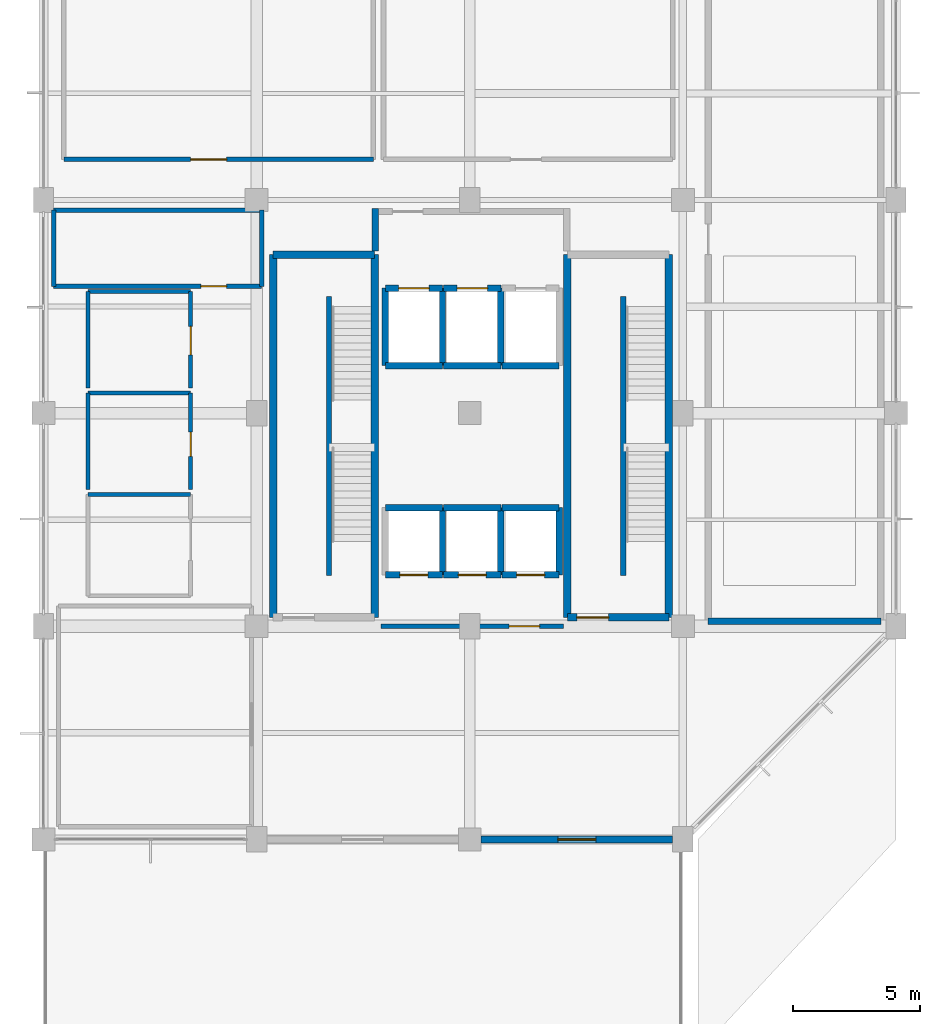
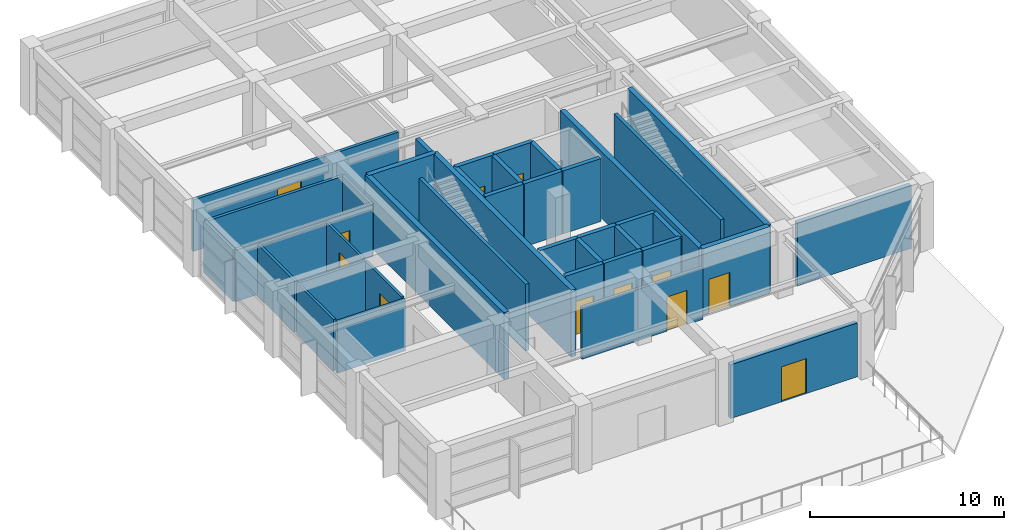
# One storey, part 9 of 11: 41 walls, 12 doors, 12 openings.
"""IFC4 building model written with IfcOpenShell, lengths in metres."""

import ifcopenshell
import ifcopenshell.guid

model = None  # the IFC model being written
_history = None  # IfcOwnerHistory: only IFC2X3 demands one
_inside = {}  # id of a spatial element -> (the spatial element, [elements in it])
_under = {}  # id of a project, library or spatial element -> (it, [spatial elements below it])
_declared = {}  # id of a project -> (the project, [libraries it declares])
_typed = {}  # id of a type object -> (the type object, [elements of that type])
_made_of = {}  # id of a material, layer set ... -> (it, [elements and type objects made of it])


def new_model(schema):
    """Start an empty IFC model of exactly this schema.

    Asked for "IFC4X3", IfcOpenShell would pick the latest addendum, in which some entities
    have other attributes; the version numbers below select the first issue.
    IFC2X3 requires an IfcOwnerHistory on every rooted entity: one is made here for all.
    """
    global model, _history
    if schema == "IFC4X3":
        model = ifcopenshell.file(schema_version=(4, 3, 0, 0))
    else:
        model = ifcopenshell.file(schema=schema)
    _inside.clear()
    _under.clear()
    _declared.clear()
    _typed.clear()
    _made_of.clear()
    _history = None
    if model.schema == "IFC2X3":
        org = make("IfcOrganization", Name="unknown")
        user = make(
            "IfcPersonAndOrganization",
            ThePerson=make("IfcPerson", FamilyName="unknown"),
            TheOrganization=org,
        )
        app = make(
            "IfcApplication",
            ApplicationDeveloper=org,
            Version="unknown",
            ApplicationFullName="unknown",
            ApplicationIdentifier="unknown",
        )
        _history = make(
            "IfcOwnerHistory",
            OwningUser=user,
            OwningApplication=app,
            ChangeAction="ADDED",
            CreationDate=0,
        )
    return model


def make(cls, **values):
    """One entity of the class cls with the attributes given. An attribute that is None is left unset."""
    return model.create_entity(
        cls, **{name: value for name, value in values.items() if value is not None}
    )


def rooted(cls, **values):
    """An entity with a GlobalId (a new one), such as an element, a storey or a relation."""
    return make(cls, GlobalId=ifcopenshell.guid.new(), OwnerHistory=_history, **values)


def si_unit(unit_type, name, prefix=None):
    """IfcSIUnit, for example si_unit("LENGTHUNIT", "METRE", prefix="MILLI")."""
    return make("IfcSIUnit", UnitType=unit_type, Prefix=prefix, Name=name)


def assignment(units):
    """IfcUnitAssignment: the units of a project."""
    return None if units is None else make("IfcUnitAssignment", Units=units)


def point(xyz):
    """IfcCartesianPoint."""
    return None if xyz is None else make("IfcCartesianPoint", Coordinates=xyz)


def direction(xyz):
    """IfcDirection."""
    return None if xyz is None else make("IfcDirection", DirectionRatios=xyz)


def frame(location, z_axis=None, x_axis=None):
    """IfcAxis2Placement3D, a coordinate frame: its origin and axes. An axis left out is left unset."""
    return make(
        "IfcAxis2Placement3D",
        Location=point(location),
        Axis=direction(z_axis),
        RefDirection=direction(x_axis),
    )


def frame_2d(location, x_axis=None):
    """IfcAxis2Placement2D, a coordinate frame in the plane: its origin and x axis."""
    return make(
        "IfcAxis2Placement2D", Location=point(location), RefDirection=direction(x_axis)
    )


def origin():
    """The frame at (0, 0, 0) with its axes left unset."""
    return frame((0.0, 0.0, 0.0))


def place(relative_to, where):
    """IfcLocalPlacement: puts the frame where relative to a parent placement (None: the world)."""
    return make(
        "IfcLocalPlacement", PlacementRelTo=relative_to, RelativePlacement=where
    )


def context(
    kind, dimensions, precision=None, world=None, true_north=None, identifier=None
):
    """IfcGeometricRepresentationContext, for example the 3D "Model" context."""
    return make(
        "IfcGeometricRepresentationContext",
        ContextIdentifier=identifier,
        ContextType=kind,
        CoordinateSpaceDimension=dimensions,
        Precision=precision,
        WorldCoordinateSystem=world,
        TrueNorth=true_north,
    )


def subcontext(parent, identifier, kind, view, scale=None):
    """IfcGeometricRepresentationSubContext, for example "Body" below "Model"."""
    return make(
        "IfcGeometricRepresentationSubContext",
        ContextIdentifier=identifier,
        ContextType=kind,
        ParentContext=parent,
        TargetScale=scale,
        TargetView=view,
    )


def project(units=None, contexts=None):
    """IfcProject with its units and contexts."""
    return rooted(
        "IfcProject",
        Name="project",
        RepresentationContexts=contexts,
        UnitsInContext=assignment(units),
    )


def spatial(cls, under=None, at=None, **own):
    """A site, building, storey or space (cls), placed at a placement, below another one or the project."""
    s = rooted(cls, ObjectPlacement=at, **own)
    if under is not None:
        _under.setdefault(under.id(), (under, []))[1].append(s)
    return s


def profile(cls, at=None, kind="AREA", **sizes):
    """A parametric profile (cls). Its sizes go by their IFC names, for example OverallWidth=200.0."""
    return make(cls, ProfileType=kind, Position=at, **sizes)


def rectangle(**sizes):
    """IfcRectangleProfileDef."""
    return profile("IfcRectangleProfileDef", **sizes)


def extrude(swept, where, along, depth):
    """IfcExtrudedAreaSolid: the profile swept, set in the frame where, extruded along a direction by depth."""
    return make(
        "IfcExtrudedAreaSolid",
        SweptArea=swept,
        Position=where,
        ExtrudedDirection=direction(along),
        Depth=depth,
    )


def shape(context_of_items, identifier, shape_type, items):
    """IfcShapeRepresentation: the items that make up one representation, for example the "Body"."""
    return make(
        "IfcShapeRepresentation",
        ContextOfItems=context_of_items,
        RepresentationIdentifier=identifier,
        RepresentationType=shape_type,
        Items=items,
    )


def material(Name=None, Category=None):
    """IfcMaterial."""
    return make("IfcMaterial", Name=Name, Category=Category)


def layer(
    of_material, thickness, ventilated=None, Name=None, Category=None, Priority=None
):
    """IfcMaterialLayer: one layer of a wall or slab, of a material (None: an air gap)."""
    return make(
        "IfcMaterialLayer",
        Material=of_material,
        LayerThickness=thickness,
        IsVentilated=ventilated,
        Name=Name,
        Category=Category,
        Priority=Priority,
    )


def layer_set(layers, Name=None):
    """IfcMaterialLayerSet."""
    return make("IfcMaterialLayerSet", MaterialLayers=layers, LayerSetName=Name)


def made_of(thing, what):
    """Note that an element or type object is made of a material, layer set ...; save() writes the relation."""
    if what is not None:
        _made_of.setdefault(what.id(), (what, []))[1].append(thing)
    return thing


def type_object(cls, material=None, **own):
    """A type object (cls), such as IfcWallType, which elements share."""
    return made_of(rooted(cls, **own), material)


def element(
    cls,
    number,
    at=None,
    inside=None,
    cuts=None,
    type_object=None,
    material=None,
    context=None,
    identifier="Body",
    shape_type=None,
    held_by="IfcProductDefinitionShape",
    body=None,
    shapes=None,
    **own,
):
    """One element of the class cls, such as IfcWall. Its Tag is "e" and its number.

    at: its placement. inside: the storey or other place that contains it. cuts: it is an
    opening in that element (IfcRelVoidsElement). A single representation is given by context,
    identifier, shape_type and body (its items); several are given by shapes. held_by: the class
    of the entity that holds the representations. save() writes the other relations.
    """
    e = rooted(cls, Tag="e%d" % number, ObjectPlacement=at, **own)
    if body is not None:
        shapes = [shape(context, identifier, shape_type, body)]
    if shapes is not None:
        e.Representation = make(held_by, Representations=shapes)
    if inside is not None:
        _inside.setdefault(inside.id(), (inside, []))[1].append(e)
    if cuts is not None:
        rooted(
            "IfcRelVoidsElement", RelatingBuildingElement=cuts, RelatedOpeningElement=e
        )
    if type_object is not None:
        _typed.setdefault(type_object.id(), (type_object, []))[1].append(e)
    return made_of(e, material)


def fill(opening, filler):
    """IfcRelFillsElement: the door or window that sits in an opening."""
    return rooted(
        "IfcRelFillsElement",
        RelatingOpeningElement=opening,
        RelatedBuildingElement=filler,
    )


def aggregate(whole, parts):
    """IfcRelAggregates: a whole, such as a stair, and the parts it consists of."""
    return rooted("IfcRelAggregates", RelatingObject=whole, RelatedObjects=parts)


def save(model, path):
    """Write the relations noted so far, then the file.

    IfcRelAggregates (storeys below a building ...), IfcRelContainedInSpatialStructure (elements
    in a storey), IfcRelDefinesByType, IfcRelAssociatesMaterial and IfcRelDeclares: one each for
    every whole, place, type object, material and project.
    """
    for whole, parts in _under.values():
        aggregate(whole, parts)
    for where, things in _inside.values():
        rooted(
            "IfcRelContainedInSpatialStructure",
            RelatedElements=things,
            RelatingStructure=where,
        )
    for kind, things in _typed.values():
        rooted("IfcRelDefinesByType", RelatedObjects=things, RelatingType=kind)
    for what, things in _made_of.values():
        rooted("IfcRelAssociatesMaterial", RelatedObjects=things, RelatingMaterial=what)
    for by, libraries in _declared.values():
        rooted("IfcRelDeclares", RelatingContext=by, RelatedDefinitions=libraries)
    model.write(path)


model = new_model("IFC4")

# Units and contexts
model_context = context("Model", 3, precision=1e-05, world=origin(), true_north=direction((0.0, 1.0)))
body_context = subcontext(model_context, "Body", "Model", "MODEL_VIEW")
ifc_project = project(units=[si_unit("LENGTHUNIT", "METRE"), si_unit("AREAUNIT", "SQUARE_METRE"), si_unit("VOLUMEUNIT", "CUBIC_METRE"), si_unit("PLANEANGLEUNIT", "RADIAN"), si_unit("MASSUNIT", "GRAM", prefix="KILO")], contexts=[model_context])

# Site, building, storey
site_placement = place(None, origin())
site = spatial("IfcSite", under=ifc_project, at=site_placement, CompositionType="ELEMENT")
building_placement = place(site_placement, origin())
building = spatial("IfcBuilding", under=site, at=building_placement, Name="Xuanlan Plaza Opera House", CompositionType="ELEMENT")
storey_placement = place(building_placement, frame((0.0, 0.0, 57.300048828125)))
storey = spatial("IfcBuildingStorey", under=building, at=storey_placement, Name="L13", CompositionType="ELEMENT", Elevation=57.300048828125)

# Wall, opening, door
ifc_material_1 = material(Name="Anodised Aluminium 6063-T6 and Rockwool Cladding", Category="aluminium")
ifc_layer_1 = layer(ifc_material_1, 0.27001953125)
ifc_layer_set_1 = layer_set([ifc_layer_1], Name="Anodised Aluminium 6063-T6 and Rockwool Cladding")
wall_type_1 = type_object("IfcWallType", Name="ENV-WL-EW-06", PredefinedType="STANDARD", material=ifc_layer_set_1)
wall_1_placement = place(storey_placement, frame((143.25, 42.0, 0.0), z_axis=(0.0, 0.0, 1.0), x_axis=(1.0, 0.0, 0.0)))
wall_1 = element("IfcWall", 1, at=wall_1_placement, inside=storey, type_object=wall_type_1, Name="Exterior Wall L13-003", PredefinedType="STANDARD", context=body_context, shape_type="SweptSolid", body=[
    extrude(rectangle(XDim=7.550048828125, YDim=0.27001953125, at=frame_2d((3.77490234375, 0.0))), origin(), (0.0, 0.0, 1.0), 3.3798828125),
])
opening_1_placement = place(wall_1_placement, frame((3.02490234375, 0.0, 0.0)))
opening_1 = element("IfcOpeningElement", 2, at=opening_1_placement, cuts=wall_1, Name="Opening TD-02", PredefinedType="OPENING", context=body_context, shape_type="SweptSolid", body=[
    extrude(rectangle(XDim=1.5, YDim=2.199951171875, at=frame_2d((0.75, 1.10009765625))), frame((0.0, 0.14501953125, 0.0), z_axis=(0.0, -1.0, 0.0), x_axis=(1.0, 0.0, 0.0)), (0.0, 0.0, 1.0), 0.2900390625),
])
ifc_material_2 = material(Name="Anodised Aluminium 6063-T6 and Laminated Safety Glass", Category="aluminium")
door_type_1 = type_object("IfcDoorType", Name="ENV-DR-TD-02", OperationType="DOUBLE_DOOR_SINGLE_SWING", PredefinedType="DOOR", material=ifc_material_2)
door_1_placement = place(opening_1_placement, frame((1.5, 0.0, 0.0), z_axis=(0.0, 0.0, 1.0), x_axis=(-1.0, 0.0, 0.0)))
door_1 = element("IfcDoor", 3, at=door_1_placement, inside=storey, type_object=door_type_1, Name="Terrace Access Door TERR-L13-03", OperationType="DOUBLE_DOOR_SINGLE_SWING", OverallHeight=2.199951171875, OverallWidth=1.5, PredefinedType="DOOR", context=body_context, shape_type="SweptSolid", body=[
    extrude(rectangle(XDim=1.5, YDim=2.199951171875, at=frame_2d((0.75, 1.10009765625))), frame((0.0, 0.02490234375, 0.0), z_axis=(0.0, -1.0, 0.0), x_axis=(1.0, 0.0, 0.0)), (0.0, 0.0, 1.0), 0.050048828125),
])
fill(opening_1, door_1)

ifc_material_3 = material(Name="Gypsum Board and Galvanised Steel Studs", Category="gypsum")
ifc_layer_2 = layer(ifc_material_3, 0.179931640625)
ifc_layer_set_2 = layer_set([ifc_layer_2], Name="Gypsum Board and Galvanised Steel Studs")
wall_type_2 = type_object("IfcWallType", Name="INT-WL-PW-02", PredefinedType="PARTITIONING", material=ifc_layer_set_2)
wall_2_placement = place(storey_placement, frame((139.300048828125, 50.39990234375, 0.0), z_axis=(0.0, 0.0, 1.0), x_axis=(1.0, 0.0, 0.0)))
wall_2 = element("IfcWall", 4, at=wall_2_placement, inside=storey, type_object=wall_type_2, Name="Tower Lift Lobby Wall South", PredefinedType="PARTITIONING", context=body_context, shape_type="SweptSolid", body=[
    extrude(rectangle(XDim=7.199951171875, YDim=0.179931640625, at=frame_2d((3.60009765625, 0.0))), origin(), (0.0, 0.0, 1.0), 3.239990234375),
])
opening_2_placement = place(wall_2_placement, frame((5.050048828125, 0.0, 0.0)))
opening_2 = element("IfcOpeningElement", 5, at=opening_2_placement, cuts=wall_2, Name="Opening FD-02", PredefinedType="OPENING", context=body_context, shape_type="SweptSolid", body=[
    extrude(rectangle(XDim=1.199951171875, YDim=2.14990234375, at=frame_2d((0.60009765625, 1.074951171875))), frame((0.0, 0.099853515625, 0.0), z_axis=(0.0, -1.0, 0.0), x_axis=(1.0, 0.0, 0.0)), (0.0, 0.0, 1.0), 0.199951171875),
])
ifc_material_4 = material(Name="Galvanised Steel Q235B", Category="steel")
door_type_2 = type_object("IfcDoorType", Name="INT-DR-FD-02", OperationType="NOTDEFINED", PredefinedType="DOOR", material=ifc_material_4)
door_2_placement = place(opening_2_placement, frame((1.199951171875, 0.0, 0.0), z_axis=(0.0, 0.0, 1.0), x_axis=(-1.0, 0.0, 0.0)))
door_2 = element("IfcDoor", 6, at=door_2_placement, inside=storey, type_object=door_type_2, Name="Tower Lift Lobby Door 1", OperationType="SINGLE_SWING_RIGHT", OverallHeight=2.14990234375, OverallWidth=1.199951171875, PredefinedType="DOOR", context=body_context, shape_type="SweptSolid", body=[
    extrude(rectangle(XDim=1.199951171875, YDim=2.14990234375, at=frame_2d((0.60009765625, 1.074951171875))), frame((0.0, 0.02490234375, 0.0), z_axis=(0.0, -1.0, 0.0), x_axis=(1.0, 0.0, 0.0)), (0.0, 0.0, 1.0), 0.050048828125),
])
fill(opening_2, door_2)

wall_3_placement = place(storey_placement, frame((126.800048828125, 68.800048828125, 0.0), z_axis=(0.0, 0.0, 1.0), x_axis=(1.0, 0.0, 0.0)))
wall_3 = element("IfcWall", 7, at=wall_3_placement, inside=storey, type_object=wall_type_2, Name="Endowment Executive Suite West Wall South", PredefinedType="PARTITIONING", context=body_context, shape_type="SweptSolid", body=[
    extrude(rectangle(XDim=12.199951171875, YDim=0.179931640625, at=frame_2d((6.10009765625, 0.0))), origin(), (0.0, 0.0, 1.0), 3.239990234375),
])
opening_3_placement = place(wall_3_placement, frame((5.0, 0.0, 0.0)))
opening_3 = element("IfcOpeningElement", 8, at=opening_3_placement, cuts=wall_3, Name="Opening D-12", PredefinedType="OPENING", context=body_context, shape_type="SweptSolid", body=[
    extrude(rectangle(XDim=1.419921875, YDim=2.179931640625, at=frame_2d((0.7099609375, 1.08984375))), frame((0.0, 0.099853515625, 0.0), z_axis=(0.0, -1.0, 0.0), x_axis=(1.0, 0.0, 0.0)), (0.0, 0.0, 1.0), 0.199951171875),
])
ifc_material_5 = material(Name="Oak Hardwood Timber", Category="wood")
door_type_3 = type_object("IfcDoorType", Name="INT-DR-D-12", OperationType="DOUBLE_DOOR_SINGLE_SWING", PredefinedType="DOOR", material=ifc_material_5)
door_3_placement = place(opening_3_placement, origin())
door_3 = element("IfcDoor", 9, at=door_3_placement, inside=storey, type_object=door_type_3, Name="Endowment Executive Suite West Door 1", OperationType="DOUBLE_DOOR_SINGLE_SWING", OverallHeight=2.179931640625, OverallWidth=1.419921875, PredefinedType="DOOR", context=body_context, shape_type="SweptSolid", body=[
    extrude(rectangle(XDim=1.419921875, YDim=2.179931640625, at=frame_2d((0.7099609375, 1.08984375))), frame((0.0, 0.02490234375, 0.0), z_axis=(0.0, -1.0, 0.0), x_axis=(1.0, 0.0, 0.0)), (0.0, 0.0, 1.0), 0.050048828125),
])
fill(opening_3, door_3)

wall_4_placement = place(storey_placement, frame((126.39990234375, 63.800048828125, 0.0), z_axis=(0.0, 0.0, 1.0), x_axis=(1.0, 0.0, 0.0)))
wall_4 = element("IfcWall", 10, at=wall_4_placement, inside=storey, type_object=wall_type_2, Name="Sheet-Music Conservation Studio Wall South", PredefinedType="PARTITIONING", context=body_context, shape_type="SweptSolid", body=[
    extrude(rectangle(XDim=8.2001953125, YDim=0.179931640625, at=frame_2d((4.10009765625, 0.0))), origin(), (0.0, 0.0, 1.0), 3.239990234375),
])
opening_4_placement = place(wall_4_placement, frame((5.800048828125, 0.0, 0.0)))
opening_4 = element("IfcOpeningElement", 11, at=opening_4_placement, cuts=wall_4, Name="Opening D-02", PredefinedType="OPENING", context=body_context, shape_type="SweptSolid", body=[
    extrude(rectangle(XDim=1.02001953125, YDim=2.10009765625, at=frame_2d((0.510009765625, 1.050048828125))), frame((0.0, 0.099853515625, 0.0), z_axis=(0.0, -1.0, 0.0), x_axis=(1.0, 0.0, 0.0)), (0.0, 0.0, 1.0), 0.199951171875),
])
door_type_4 = type_object("IfcDoorType", Name="INT-DR-D-02", OperationType="NOTDEFINED", PredefinedType="DOOR", material=ifc_material_5)
door_4_placement = place(opening_4_placement, origin())
door_4 = element("IfcDoor", 12, at=door_4_placement, inside=storey, type_object=door_type_4, Name="Sheet-Music Conservation Studio Door 1", OperationType="SINGLE_SWING_RIGHT", OverallHeight=2.10009765625, OverallWidth=1.02001953125, PredefinedType="DOOR", context=body_context, shape_type="SweptSolid", body=[
    extrude(rectangle(XDim=1.02001953125, YDim=2.10009765625, at=frame_2d((0.510009765625, 1.050048828125))), frame((0.0, 0.02490234375, 0.0), z_axis=(0.0, -1.0, 0.0), x_axis=(1.0, 0.0, 0.0)), (0.0, 0.0, 1.0), 0.050048828125),
])
fill(opening_4, door_4)

# Walls
wall_5_placement = place(storey_placement, frame((126.39990234375, 66.800048828125, 0.0), z_axis=(0.0, 0.0, 1.0), x_axis=(1.0, 0.0, 0.0)))
element("IfcWall", 13, at=wall_5_placement, inside=storey, type_object=wall_type_2, Name="Sheet-Music Conservation Studio Wall North", PredefinedType="PARTITIONING", context=body_context, shape_type="SweptSolid", body=[
    extrude(rectangle(XDim=8.2001953125, YDim=0.179931640625, at=frame_2d((4.10009765625, 0.0))), origin(), (0.0, 0.0, 1.0), 3.239990234375),
])
for number, where, z_axis, x_axis, name in (
    (14, (126.39990234375, 63.800048828125, 0.0), (0.0, 0.0, 1.0), (0.0, 1.0, 0.0), "Sheet-Music Conservation Studio Wall West"),
    (15, (134.60009765625, 63.800048828125, 0.0), (0.0, 0.0, 1.0), (0.0, 1.0, 0.0), "Sheet-Music Conservation Studio Wall East"),
):
    element("IfcWall", number, at=place(storey_placement, frame(where, z_axis=z_axis, x_axis=x_axis)), inside=storey, type_object=wall_type_2, Name=name, PredefinedType="PARTITIONING", context=body_context, shape_type="SweptSolid", body=[
        extrude(rectangle(XDim=3.0, YDim=0.179931640625, at=frame_2d((1.5, 0.0))), origin(), (0.0, 0.0, 1.0), 3.239990234375),
    ])
ifc_material_6 = material(Name="Autoclaved Aerated Blockwork Masonry", Category="masonry")
ifc_layer_3 = layer(ifc_material_6, 0.14990234375)
ifc_layer_set_3 = layer_set([ifc_layer_3], Name="Autoclaved Aerated Blockwork Masonry")
wall_type_3 = type_object("IfcWallType", Name="INT-WL-PW-03", PredefinedType="PARTITIONING", material=ifc_layer_set_3)
for number, where, z_axis, x_axis, name in (
    (16, (127.75, 55.60009765625, 0.0), (0.0, 0.0, 1.0), (1.0, 0.0, 0.0), "Public WC Wall North"),
    (17, (127.75, 59.60009765625, 0.0), (0.0, 0.0, 1.0), (1.0, 0.0, 0.0), "Staff WC Wall North"),
):
    element("IfcWall", number, at=place(storey_placement, frame(where, z_axis=z_axis, x_axis=x_axis)), inside=storey, type_object=wall_type_3, Name=name, PredefinedType="PARTITIONING", context=body_context, shape_type="SweptSolid", body=[
        extrude(rectangle(XDim=4.050048828125, YDim=0.14990234375, at=frame_2d((2.02490234375, 0.0))), origin(), (0.0, 0.0, 1.0), 3.239990234375),
    ])
wall_6_placement = place(storey_placement, frame((127.75, 55.800048828125, 0.0), z_axis=(0.0, 0.0, 1.0), x_axis=(0.0, 1.0, 0.0)))
element("IfcWall", 18, at=wall_6_placement, inside=storey, type_object=wall_type_3, Name="Staff WC Wall West", PredefinedType="PARTITIONING", context=body_context, shape_type="SweptSolid", body=[
    extrude(rectangle(XDim=3.800048828125, YDim=0.14990234375, at=frame_2d((1.89990234375, 0.0))), origin(), (0.0, 0.0, 1.0), 3.239990234375),
])

# Wall, opening, door
wall_7_placement = place(storey_placement, frame((131.800048828125, 55.800048828125, 0.0), z_axis=(0.0, 0.0, 1.0), x_axis=(0.0, 1.0, 0.0)))
wall_7 = element("IfcWall", 19, at=wall_7_placement, inside=storey, type_object=wall_type_3, Name="Staff WC Wall East", PredefinedType="PARTITIONING", context=body_context, shape_type="SweptSolid", body=[
    extrude(rectangle(XDim=3.800048828125, YDim=0.14990234375, at=frame_2d((1.89990234375, 0.0))), origin(), (0.0, 0.0, 1.0), 3.239990234375),
])
opening_5_placement = place(wall_7_placement, frame((1.300048828125, 0.0, 0.0)))
opening_5 = element("IfcOpeningElement", 20, at=opening_5_placement, cuts=wall_7, Name="Opening D-01", PredefinedType="OPENING", context=body_context, shape_type="SweptSolid", body=[
    extrude(rectangle(XDim=0.949951171875, YDim=2.10009765625, at=frame_2d((0.47509765625, 1.050048828125))), frame((0.0, 0.0849609375, 0.0), z_axis=(0.0, -1.0, 0.0), x_axis=(1.0, 0.0, 0.0)), (0.0, 0.0, 1.0), 0.169921875),
])
ifc_material_7 = material(Name="Walnut Hardwood Timber", Category="wood")
door_type_5 = type_object("IfcDoorType", Name="INT-DR-D-01", OperationType="NOTDEFINED", PredefinedType="DOOR", material=ifc_material_7)
door_5_placement = place(opening_5_placement, origin())
door_5 = element("IfcDoor", 21, at=door_5_placement, inside=storey, type_object=door_type_5, Name="Staff WC Door 1", OperationType="SINGLE_SWING_RIGHT", OverallHeight=2.10009765625, OverallWidth=0.949951171875, PredefinedType="DOOR", context=body_context, shape_type="SweptSolid", body=[
    extrude(rectangle(XDim=0.949951171875, YDim=2.10009765625, at=frame_2d((0.47509765625, 1.050048828125))), frame((0.0, 0.02490234375, 0.0), z_axis=(0.0, -1.0, 0.0), x_axis=(1.0, 0.0, 0.0)), (0.0, 0.0, 1.0), 0.050048828125),
])
fill(opening_5, door_5)

# Walls
wall_8_placement = place(storey_placement, frame((127.75, 63.60009765625, 0.0), z_axis=(0.0, 0.0, 1.0), x_axis=(1.0, 0.0, 0.0)))
element("IfcWall", 22, at=wall_8_placement, inside=storey, type_object=wall_type_3, Name="Accessible WC Wall North", PredefinedType="PARTITIONING", context=body_context, shape_type="SweptSolid", body=[
    extrude(rectangle(XDim=4.050048828125, YDim=0.14990234375, at=frame_2d((2.02490234375, 0.0))), origin(), (0.0, 0.0, 1.0), 3.239990234375),
])
wall_9_placement = place(storey_placement, frame((127.75, 59.800048828125, 0.0), z_axis=(0.0, 0.0, 1.0), x_axis=(0.0, 1.0, 0.0)))
element("IfcWall", 23, at=wall_9_placement, inside=storey, type_object=wall_type_3, Name="Accessible WC Wall West", PredefinedType="PARTITIONING", context=body_context, shape_type="SweptSolid", body=[
    extrude(rectangle(XDim=3.800048828125, YDim=0.14990234375, at=frame_2d((1.89990234375, 0.0))), origin(), (0.0, 0.0, 1.0), 3.239990234375),
])

# Wall, opening, door
wall_10_placement = place(storey_placement, frame((131.800048828125, 59.800048828125, 0.0), z_axis=(0.0, 0.0, 1.0), x_axis=(0.0, 1.0, 0.0)))
wall_10 = element("IfcWall", 24, at=wall_10_placement, inside=storey, type_object=wall_type_3, Name="Accessible WC Wall East", PredefinedType="PARTITIONING", context=body_context, shape_type="SweptSolid", body=[
    extrude(rectangle(XDim=3.800048828125, YDim=0.14990234375, at=frame_2d((1.89990234375, 0.0))), origin(), (0.0, 0.0, 1.0), 3.239990234375),
])
opening_6_placement = place(wall_10_placement, frame((1.300048828125, 0.0, 0.0)))
opening_6 = element("IfcOpeningElement", 25, at=opening_6_placement, cuts=wall_10, Name="Opening D-10", PredefinedType="OPENING", context=body_context, shape_type="SweptSolid", body=[
    extrude(rectangle(XDim=1.1201171875, YDim=2.139892578125, at=frame_2d((0.56005859375, 1.06982421875))), frame((0.0, 0.0849609375, 0.0), z_axis=(0.0, -1.0, 0.0), x_axis=(1.0, 0.0, 0.0)), (0.0, 0.0, 1.0), 0.169921875),
])
door_type_6 = type_object("IfcDoorType", Name="INT-DR-D-10", OperationType="NOTDEFINED", PredefinedType="DOOR", material=ifc_material_5)
door_6_placement = place(opening_6_placement, origin())
door_6 = element("IfcDoor", 26, at=door_6_placement, inside=storey, type_object=door_type_6, Name="Accessible WC Door 1", OperationType="SINGLE_SWING_LEFT", OverallHeight=2.139892578125, OverallWidth=1.1201171875, PredefinedType="DOOR", context=body_context, shape_type="SweptSolid", body=[
    extrude(rectangle(XDim=1.1201171875, YDim=2.139892578125, at=frame_2d((0.56005859375, 1.06982421875))), frame((0.0, 0.02490234375, 0.0), z_axis=(0.0, -1.0, 0.0), x_axis=(1.0, 0.0, 0.0)), (0.0, 0.0, 1.0), 0.050048828125),
])
fill(opening_6, door_6)

# Wall
ifc_material_8 = material(Name="Concrete C40", Category="concrete")
ifc_layer_4 = layer(ifc_material_8, 0.25)
ifc_layer_set_4 = layer_set([ifc_layer_4], Name="Concrete C40")
wall_type_4 = type_object("IfcWallType", Name="INT-WL-SW-LF1", PredefinedType="SHEAR", material=ifc_layer_set_4)
wall_11_placement = place(storey_placement, frame((139.47509765625, 60.675048828125, 0.0), z_axis=(0.0, 0.0, 1.0), x_axis=(1.0, 0.0, 0.0)))
element("IfcWall", 27, at=wall_11_placement, inside=storey, type_object=wall_type_4, Name="Lift Shaft Wall LF-FF1 L13 South", PredefinedType="SHEAR", context=body_context, shape_type="SweptSolid", body=[
    extrude(rectangle(XDim=2.25, YDim=0.25, at=frame_2d((1.125, 0.0))), origin(), (0.0, 0.0, 1.0), 3.9599609375),
])

# Wall, opening, door
wall_12_placement = place(storey_placement, frame((139.47509765625, 63.72509765625, 0.0), z_axis=(0.0, 0.0, 1.0), x_axis=(1.0, 0.0, 0.0)))
wall_12 = element("IfcWall", 28, at=wall_12_placement, inside=storey, type_object=wall_type_4, Name="Lift Shaft Wall LF-FF1 L13 North", PredefinedType="SHEAR", context=body_context, shape_type="SweptSolid", body=[
    extrude(rectangle(XDim=2.25, YDim=0.25, at=frame_2d((1.125, 0.0))), origin(), (0.0, 0.0, 1.0), 3.9599609375),
])
opening_7_placement = place(wall_12_placement, frame((0.52490234375, 0.0, 0.0)))
opening_7 = element("IfcOpeningElement", 29, at=opening_7_placement, cuts=wall_12, Name="Opening LD-FF1-L13", PredefinedType="OPENING", context=body_context, shape_type="SweptSolid", body=[
    extrude(rectangle(XDim=1.199951171875, YDim=2.179931640625, at=frame_2d((0.60009765625, 1.08984375))), frame((0.0, 0.135009765625, 0.0), z_axis=(0.0, -1.0, 0.0), x_axis=(1.0, 0.0, 0.0)), (0.0, 0.0, 1.0), 0.27001953125),
])
ifc_material_9 = material(Name="Stainless Steel S30408", Category="steel")
door_type_7 = type_object("IfcDoorType", Name="INT-DR-LD-02", OperationType="DOUBLE_DOOR_SLIDING", PredefinedType="DOOR", material=ifc_material_9)
door_7_placement = place(opening_7_placement, origin())
door_7 = element("IfcDoor", 30, at=door_7_placement, inside=storey, type_object=door_type_7, Name="Lift Sliding Landing Door LF-FF1 L13", OperationType="DOUBLE_DOOR_SLIDING", OverallHeight=2.179931640625, OverallWidth=1.199951171875, PredefinedType="DOOR", context=body_context, shape_type="SweptSolid", body=[
    extrude(rectangle(XDim=1.199951171875, YDim=2.179931640625, at=frame_2d((0.60009765625, 1.08984375))), frame((0.0, 0.02490234375, 0.0), z_axis=(0.0, -1.0, 0.0), x_axis=(1.0, 0.0, 0.0)), (0.0, 0.0, 1.0), 0.050048828125),
])
fill(opening_7, door_7)

# Walls
for number, where, z_axis, x_axis, name in (
    (31, (139.47509765625, 60.675048828125, 0.0), (0.0, 0.0, 1.0), (0.0, 1.0, 0.0), "Lift Shaft Wall LF-FF1 L13 West"),
    (32, (141.72509765625, 60.675048828125, 0.0), (0.0, 0.0, 1.0), (0.0, 1.0, 0.0), "Lift Shaft Wall LF-FF1 L13 East"),
):
    element("IfcWall", number, at=place(storey_placement, frame(where, z_axis=z_axis, x_axis=x_axis)), inside=storey, type_object=wall_type_4, Name=name, PredefinedType="SHEAR", context=body_context, shape_type="SweptSolid", body=[
        extrude(rectangle(XDim=3.050048828125, YDim=0.25, at=frame_2d((1.52490234375, 0.0))), origin(), (0.0, 0.0, 1.0), 3.9599609375),
    ])
wall_13_placement = place(storey_placement, frame((141.77490234375, 60.675048828125, 0.0), z_axis=(0.0, 0.0, 1.0), x_axis=(1.0, 0.0, 0.0)))
element("IfcWall", 33, at=wall_13_placement, inside=storey, type_object=wall_type_4, Name="Lift Shaft Wall LF-FF2 L13 South", PredefinedType="SHEAR", context=body_context, shape_type="SweptSolid", body=[
    extrude(rectangle(XDim=2.25, YDim=0.25, at=frame_2d((1.125, 0.0))), origin(), (0.0, 0.0, 1.0), 3.9599609375),
])

# Wall, opening, door
wall_14_placement = place(storey_placement, frame((141.77490234375, 63.72509765625, 0.0), z_axis=(0.0, 0.0, 1.0), x_axis=(1.0, 0.0, 0.0)))
wall_14 = element("IfcWall", 34, at=wall_14_placement, inside=storey, type_object=wall_type_4, Name="Lift Shaft Wall LF-FF2 L13 North", PredefinedType="SHEAR", context=body_context, shape_type="SweptSolid", body=[
    extrude(rectangle(XDim=2.25, YDim=0.25, at=frame_2d((1.125, 0.0))), origin(), (0.0, 0.0, 1.0), 3.9599609375),
])
opening_8_placement = place(wall_14_placement, frame((0.52490234375, 0.0, 0.0)))
opening_8 = element("IfcOpeningElement", 35, at=opening_8_placement, cuts=wall_14, Name="Opening LD-FF2-L13", PredefinedType="OPENING", context=body_context, shape_type="SweptSolid", body=[
    extrude(rectangle(XDim=1.199951171875, YDim=2.179931640625, at=frame_2d((0.60009765625, 1.08984375))), frame((0.0, 0.135009765625, 0.0), z_axis=(0.0, -1.0, 0.0), x_axis=(1.0, 0.0, 0.0)), (0.0, 0.0, 1.0), 0.27001953125),
])
door_8_placement = place(opening_8_placement, origin())
door_8 = element("IfcDoor", 36, at=door_8_placement, inside=storey, type_object=door_type_7, Name="Lift Sliding Landing Door LF-FF2 L13", OperationType="DOUBLE_DOOR_SLIDING", OverallHeight=2.179931640625, OverallWidth=1.199951171875, PredefinedType="DOOR", context=body_context, shape_type="SweptSolid", body=[
    extrude(rectangle(XDim=1.199951171875, YDim=2.179931640625, at=frame_2d((0.60009765625, 1.08984375))), frame((0.0, 0.02490234375, 0.0), z_axis=(0.0, -1.0, 0.0), x_axis=(1.0, 0.0, 0.0)), (0.0, 0.0, 1.0), 0.050048828125),
])
fill(opening_8, door_8)

# Walls
wall_15_placement = place(storey_placement, frame((144.02490234375, 60.675048828125, 0.0), z_axis=(0.0, 0.0, 1.0), x_axis=(0.0, 1.0, 0.0)))
element("IfcWall", 37, at=wall_15_placement, inside=storey, type_object=wall_type_4, Name="Lift Shaft Wall LF-FF2 L13 East", PredefinedType="SHEAR", context=body_context, shape_type="SweptSolid", body=[
    extrude(rectangle(XDim=3.050048828125, YDim=0.25, at=frame_2d((1.52490234375, 0.0))), origin(), (0.0, 0.0, 1.0), 3.9599609375),
])
wall_16_placement = place(storey_placement, frame((144.074951171875, 60.675048828125, 0.0), z_axis=(0.0, 0.0, 1.0), x_axis=(1.0, 0.0, 0.0)))
element("IfcWall", 38, at=wall_16_placement, inside=storey, type_object=wall_type_4, Name="Lift Shaft Wall LF-FF3 L13 South", PredefinedType="SHEAR", context=body_context, shape_type="SweptSolid", body=[
    extrude(rectangle(XDim=2.25, YDim=0.25, at=frame_2d((1.125, 0.0))), origin(), (0.0, 0.0, 1.0), 3.9599609375),
])

# Wall, opening, door
wall_17_placement = place(storey_placement, frame((139.47509765625, 52.425048828125, 0.0), z_axis=(0.0, 0.0, 1.0), x_axis=(1.0, 0.0, 0.0)))
wall_17 = element("IfcWall", 39, at=wall_17_placement, inside=storey, type_object=wall_type_4, Name="Lift Shaft Wall LF-P1 L13 South", PredefinedType="SHEAR", context=body_context, shape_type="SweptSolid", body=[
    extrude(rectangle(XDim=2.25, YDim=0.25, at=frame_2d((1.125, 0.0))), origin(), (0.0, 0.0, 1.0), 3.9599609375),
])
opening_9_placement = place(wall_17_placement, frame((0.574951171875, 0.0, 0.0)))
opening_9 = element("IfcOpeningElement", 40, at=opening_9_placement, cuts=wall_17, Name="Opening LD-P1-L13", PredefinedType="OPENING", context=body_context, shape_type="SweptSolid", body=[
    extrude(rectangle(XDim=1.10009765625, YDim=2.14990234375, at=frame_2d((0.550048828125, 1.074951171875))), frame((0.0, 0.135009765625, 0.0), z_axis=(0.0, -1.0, 0.0), x_axis=(1.0, 0.0, 0.0)), (0.0, 0.0, 1.0), 0.27001953125),
])
door_type_8 = type_object("IfcDoorType", Name="INT-DR-LD-01", OperationType="DOUBLE_DOOR_SLIDING", PredefinedType="DOOR", material=ifc_material_9)
door_9_placement = place(opening_9_placement, origin())
door_9 = element("IfcDoor", 41, at=door_9_placement, inside=storey, type_object=door_type_8, Name="Lift Sliding Landing Door LF-P1 L13", OperationType="DOUBLE_DOOR_SLIDING", OverallHeight=2.14990234375, OverallWidth=1.10009765625, PredefinedType="DOOR", context=body_context, shape_type="SweptSolid", body=[
    extrude(rectangle(XDim=1.10009765625, YDim=2.14990234375, at=frame_2d((0.550048828125, 1.074951171875))), frame((0.0, 0.02490234375, 0.0), z_axis=(0.0, -1.0, 0.0), x_axis=(1.0, 0.0, 0.0)), (0.0, 0.0, 1.0), 0.050048828125),
])
fill(opening_9, door_9)

# Walls
wall_18_placement = place(storey_placement, frame((139.47509765625, 55.074951171875, 0.0), z_axis=(0.0, 0.0, 1.0), x_axis=(1.0, 0.0, 0.0)))
element("IfcWall", 42, at=wall_18_placement, inside=storey, type_object=wall_type_4, Name="Lift Shaft Wall LF-P1 L13 North", PredefinedType="SHEAR", context=body_context, shape_type="SweptSolid", body=[
    extrude(rectangle(XDim=2.25, YDim=0.25, at=frame_2d((1.125, 0.0))), origin(), (0.0, 0.0, 1.0), 3.9599609375),
])
wall_19_placement = place(storey_placement, frame((141.72509765625, 52.425048828125, 0.0), z_axis=(0.0, 0.0, 1.0), x_axis=(0.0, 1.0, 0.0)))
element("IfcWall", 43, at=wall_19_placement, inside=storey, type_object=wall_type_4, Name="Lift Shaft Wall LF-P1 L13 East", PredefinedType="SHEAR", context=body_context, shape_type="SweptSolid", body=[
    extrude(rectangle(XDim=2.64990234375, YDim=0.25, at=frame_2d((1.324951171875, 0.0))), origin(), (0.0, 0.0, 1.0), 3.9599609375),
])

# Wall, opening, door
wall_20_placement = place(storey_placement, frame((141.77490234375, 52.425048828125, 0.0), z_axis=(0.0, 0.0, 1.0), x_axis=(1.0, 0.0, 0.0)))
wall_20 = element("IfcWall", 44, at=wall_20_placement, inside=storey, type_object=wall_type_4, Name="Lift Shaft Wall LF-P2 L13 South", PredefinedType="SHEAR", context=body_context, shape_type="SweptSolid", body=[
    extrude(rectangle(XDim=2.25, YDim=0.25, at=frame_2d((1.125, 0.0))), origin(), (0.0, 0.0, 1.0), 3.9599609375),
])
opening_10_placement = place(wall_20_placement, frame((0.574951171875, 0.0, 0.0)))
opening_10 = element("IfcOpeningElement", 45, at=opening_10_placement, cuts=wall_20, Name="Opening LD-P2-L13", PredefinedType="OPENING", context=body_context, shape_type="SweptSolid", body=[
    extrude(rectangle(XDim=1.10009765625, YDim=2.14990234375, at=frame_2d((0.550048828125, 1.074951171875))), frame((0.0, 0.135009765625, 0.0), z_axis=(0.0, -1.0, 0.0), x_axis=(1.0, 0.0, 0.0)), (0.0, 0.0, 1.0), 0.27001953125),
])
door_10_placement = place(opening_10_placement, origin())
door_10 = element("IfcDoor", 46, at=door_10_placement, inside=storey, type_object=door_type_8, Name="Lift Sliding Landing Door LF-P2 L13", OperationType="DOUBLE_DOOR_SLIDING", OverallHeight=2.14990234375, OverallWidth=1.10009765625, PredefinedType="DOOR", context=body_context, shape_type="SweptSolid", body=[
    extrude(rectangle(XDim=1.10009765625, YDim=2.14990234375, at=frame_2d((0.550048828125, 1.074951171875))), frame((0.0, 0.02490234375, 0.0), z_axis=(0.0, -1.0, 0.0), x_axis=(1.0, 0.0, 0.0)), (0.0, 0.0, 1.0), 0.050048828125),
])
fill(opening_10, door_10)

# Walls
wall_21_placement = place(storey_placement, frame((141.77490234375, 55.074951171875, 0.0), z_axis=(0.0, 0.0, 1.0), x_axis=(1.0, 0.0, 0.0)))
element("IfcWall", 47, at=wall_21_placement, inside=storey, type_object=wall_type_4, Name="Lift Shaft Wall LF-P2 L13 North", PredefinedType="SHEAR", context=body_context, shape_type="SweptSolid", body=[
    extrude(rectangle(XDim=2.25, YDim=0.25, at=frame_2d((1.125, 0.0))), origin(), (0.0, 0.0, 1.0), 3.9599609375),
])
wall_22_placement = place(storey_placement, frame((144.02490234375, 52.425048828125, 0.0), z_axis=(0.0, 0.0, 1.0), x_axis=(0.0, 1.0, 0.0)))
element("IfcWall", 48, at=wall_22_placement, inside=storey, type_object=wall_type_4, Name="Lift Shaft Wall LF-P2 L13 East", PredefinedType="SHEAR", context=body_context, shape_type="SweptSolid", body=[
    extrude(rectangle(XDim=2.64990234375, YDim=0.25, at=frame_2d((1.324951171875, 0.0))), origin(), (0.0, 0.0, 1.0), 3.9599609375),
])

# Wall, opening, door
wall_23_placement = place(storey_placement, frame((144.074951171875, 52.425048828125, 0.0), z_axis=(0.0, 0.0, 1.0), x_axis=(1.0, 0.0, 0.0)))
wall_23 = element("IfcWall", 49, at=wall_23_placement, inside=storey, type_object=wall_type_4, Name="Lift Shaft Wall LF-P3 L13 South", PredefinedType="SHEAR", context=body_context, shape_type="SweptSolid", body=[
    extrude(rectangle(XDim=2.25, YDim=0.25, at=frame_2d((1.125, 0.0))), origin(), (0.0, 0.0, 1.0), 3.9599609375),
])
opening_11_placement = place(wall_23_placement, frame((0.574951171875, 0.0, 0.0)))
opening_11 = element("IfcOpeningElement", 50, at=opening_11_placement, cuts=wall_23, Name="Opening LD-P3-L13", PredefinedType="OPENING", context=body_context, shape_type="SweptSolid", body=[
    extrude(rectangle(XDim=1.10009765625, YDim=2.14990234375, at=frame_2d((0.550048828125, 1.074951171875))), frame((0.0, 0.135009765625, 0.0), z_axis=(0.0, -1.0, 0.0), x_axis=(1.0, 0.0, 0.0)), (0.0, 0.0, 1.0), 0.27001953125),
])
door_11_placement = place(opening_11_placement, origin())
door_11 = element("IfcDoor", 51, at=door_11_placement, inside=storey, type_object=door_type_8, Name="Lift Sliding Landing Door LF-P3 L13", OperationType="DOUBLE_DOOR_SLIDING", OverallHeight=2.14990234375, OverallWidth=1.10009765625, PredefinedType="DOOR", context=body_context, shape_type="SweptSolid", body=[
    extrude(rectangle(XDim=1.10009765625, YDim=2.14990234375, at=frame_2d((0.550048828125, 1.074951171875))), frame((0.0, 0.02490234375, 0.0), z_axis=(0.0, -1.0, 0.0), x_axis=(1.0, 0.0, 0.0)), (0.0, 0.0, 1.0), 0.050048828125),
])
fill(opening_11, door_11)

# Walls
wall_24_placement = place(storey_placement, frame((144.074951171875, 55.074951171875, 0.0), z_axis=(0.0, 0.0, 1.0), x_axis=(1.0, 0.0, 0.0)))
element("IfcWall", 52, at=wall_24_placement, inside=storey, type_object=wall_type_4, Name="Lift Shaft Wall LF-P3 L13 North", PredefinedType="SHEAR", context=body_context, shape_type="SweptSolid", body=[
    extrude(rectangle(XDim=2.25, YDim=0.25, at=frame_2d((1.125, 0.0))), origin(), (0.0, 0.0, 1.0), 3.9599609375),
])
wall_25_placement = place(storey_placement, frame((146.324951171875, 52.425048828125, 0.0), z_axis=(0.0, 0.0, 1.0), x_axis=(0.0, 1.0, 0.0)))
element("IfcWall", 53, at=wall_25_placement, inside=storey, type_object=wall_type_4, Name="Lift Shaft Wall LF-P3 L13 East", PredefinedType="SHEAR", context=body_context, shape_type="SweptSolid", body=[
    extrude(rectangle(XDim=2.64990234375, YDim=0.25, at=frame_2d((1.324951171875, 0.0))), origin(), (0.0, 0.0, 1.0), 3.9599609375),
])
wall_26_placement = place(storey_placement, frame((139.074951171875, 65.199951171875, 0.0), z_axis=(0.0, 0.0, 1.0), x_axis=(0.0, 1.0, 0.0)))
element("IfcWall", 54, at=wall_26_placement, inside=storey, type_object=wall_type_4, Name="Firefighting Lift Lobby Enclosure Wall L13 W", PredefinedType="SHEAR", context=body_context, shape_type="SweptSolid", body=[
    extrude(rectangle(XDim=1.675048828125, YDim=0.25, at=frame_2d((0.83740234375, 0.0))), origin(), (0.0, 0.0, 1.0), 3.9599609375),
])
wall_27_placement = place(storey_placement, frame((152.199951171875, 50.60009765625, 0.0), z_axis=(0.0, 0.0, 1.0), x_axis=(1.0, 0.0, 0.0)))
element("IfcWall", 55, at=wall_27_placement, inside=storey, type_object=wall_type_4, Name="Orchestral Sheet-Music Archive Wall South", PredefinedType="SHEAR", context=body_context, shape_type="SweptSolid", body=[
    extrude(rectangle(XDim=6.800048828125, YDim=0.25, at=frame_2d((3.39990234375, 0.0))), origin(), (0.0, 0.0, 1.0), 3.9599609375),
])
ifc_layer_5 = layer(ifc_material_8, 0.199951171875)
ifc_layer_set_5 = layer_set([ifc_layer_5], Name="Concrete C40")
wall_type_5 = type_object("IfcWallType", Name="INT-WL-SW-SPN", PredefinedType="SHEAR", material=ifc_layer_set_5)
for number, where, z_axis, x_axis, name in (
    (56, (137.25, 52.39990234375, 0.0), (0.0, 0.0, 1.0), (0.0, 1.0, 0.0), "Stair Structural Spine Wall ST-T1 L13"),
    (57, (148.85009765625, 52.39990234375, 0.0), (0.0, 0.0, 1.0), (0.0, 1.0, 0.0), "Stair Structural Spine Wall ST-T2 L13"),
):
    element("IfcWall", number, at=place(storey_placement, frame(where, z_axis=z_axis, x_axis=x_axis)), inside=storey, type_object=wall_type_5, Name=name, PredefinedType="SHEAR", context=body_context, shape_type="SweptSolid", body=[
        extrude(rectangle(XDim=11.0, YDim=0.199951171875, at=frame_2d((5.5, 0.0))), origin(), (0.0, 0.0, 1.0), 4.199951171875),
    ])
ifc_layer_6 = layer(ifc_material_8, 0.300048828125)
ifc_layer_set_6 = layer_set([ifc_layer_6], Name="Concrete C40")
wall_type_6 = type_object("IfcWallType", Name="INT-WL-SW-ST1", PredefinedType="SHEAR", material=ifc_layer_set_6)
wall_28_placement = place(storey_placement, frame((135.050048828125, 65.050048828125, 0.0), z_axis=(0.0, 0.0, 1.0), x_axis=(1.0, 0.0, 0.0)))
element("IfcWall", 58, at=wall_28_placement, inside=storey, type_object=wall_type_6, Name="Stair Core Wall ST-T1 L13 North", PredefinedType="SHEAR", context=body_context, shape_type="SweptSolid", body=[
    extrude(rectangle(XDim=4.0, YDim=0.300048828125, at=frame_2d((2.0, 0.0))), origin(), (0.0, 0.0, 1.0), 4.199951171875),
])
for number, where, z_axis, x_axis, name in (
    (59, (135.050048828125, 50.75, 0.0), (0.0, 0.0, 1.0), (0.0, 1.0, 0.0), "Stair Core Wall ST-T1 L13 West"),
    (60, (139.050048828125, 50.75, 0.0), (0.0, 0.0, 1.0), (0.0, 1.0, 0.0), "Stair Core Wall ST-T1 L13 East"),
):
    element("IfcWall", number, at=place(storey_placement, frame(where, z_axis=z_axis, x_axis=x_axis)), inside=storey, type_object=wall_type_6, Name=name, PredefinedType="SHEAR", context=body_context, shape_type="SweptSolid", body=[
        extrude(rectangle(XDim=14.300048828125, YDim=0.300048828125, at=frame_2d((7.14990234375, 0.0))), origin(), (0.0, 0.0, 1.0), 4.199951171875),
    ])

# Wall, opening, door
wall_29_placement = place(storey_placement, frame((146.64990234375, 50.75, 0.0), z_axis=(0.0, 0.0, 1.0), x_axis=(1.0, 0.0, 0.0)))
wall_29 = element("IfcWall", 61, at=wall_29_placement, inside=storey, type_object=wall_type_6, Name="Stair Core Wall ST-T2 L13 South", PredefinedType="SHEAR", context=body_context, shape_type="SweptSolid", body=[
    extrude(rectangle(XDim=4.0, YDim=0.300048828125, at=frame_2d((2.0, 0.0))), origin(), (0.0, 0.0, 1.0), 4.199951171875),
])
opening_12_placement = place(wall_29_placement, frame((0.375, 0.0, 0.0)))
opening_12 = element("IfcOpeningElement", 62, at=opening_12_placement, cuts=wall_29, Name="Opening FD-ST1", PredefinedType="OPENING", context=body_context, shape_type="SweptSolid", body=[
    extrude(rectangle(XDim=1.25, YDim=2.14990234375, at=frame_2d((0.625, 1.074951171875))), frame((0.0, 0.159912109375, 0.0), z_axis=(0.0, -1.0, 0.0), x_axis=(1.0, 0.0, 0.0)), (0.0, 0.0, 1.0), 0.320068359375),
])
door_type_9 = type_object("IfcDoorType", Name="INT-DR-FD-ST1", OperationType="NOTDEFINED", PredefinedType="DOOR", material=ifc_material_4)
door_12_placement = place(opening_12_placement, origin())
door_12 = element("IfcDoor", 63, at=door_12_placement, inside=storey, type_object=door_type_9, Name="Stair Enclosure Fire Door ST-T2 L13", OperationType="SINGLE_SWING_RIGHT", OverallHeight=2.14990234375, OverallWidth=1.25, PredefinedType="DOOR", context=body_context, shape_type="SweptSolid", body=[
    extrude(rectangle(XDim=1.25, YDim=2.14990234375, at=frame_2d((0.625, 1.074951171875))), frame((0.0, 0.02490234375, 0.0), z_axis=(0.0, -1.0, 0.0), x_axis=(1.0, 0.0, 0.0)), (0.0, 0.0, 1.0), 0.050048828125),
])
fill(opening_12, door_12)

# Walls
for number, where, z_axis, x_axis, name in (
    (64, (146.64990234375, 50.75, 0.0), (0.0, 0.0, 1.0), (0.0, 1.0, 0.0), "Stair Core Wall ST-T2 L13 West"),
    (65, (150.64990234375, 50.75, 0.0), (0.0, 0.0, 1.0), (0.0, 1.0, 0.0), "Stair Core Wall ST-T2 L13 East"),
):
    element("IfcWall", number, at=place(storey_placement, frame(where, z_axis=z_axis, x_axis=x_axis)), inside=storey, type_object=wall_type_6, Name=name, PredefinedType="SHEAR", context=body_context, shape_type="SweptSolid", body=[
        extrude(rectangle(XDim=14.300048828125, YDim=0.300048828125, at=frame_2d((7.14990234375, 0.0))), origin(), (0.0, 0.0, 1.0), 4.199951171875),
    ])

save(model, "model.ifc")
